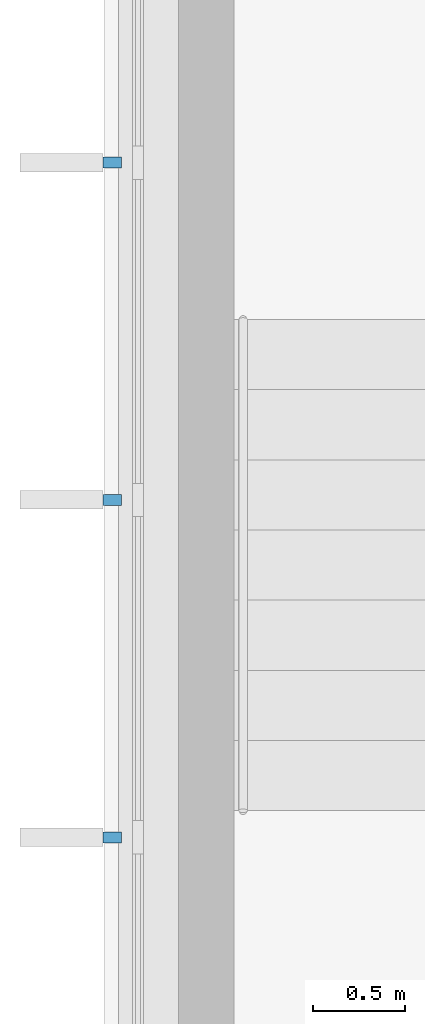
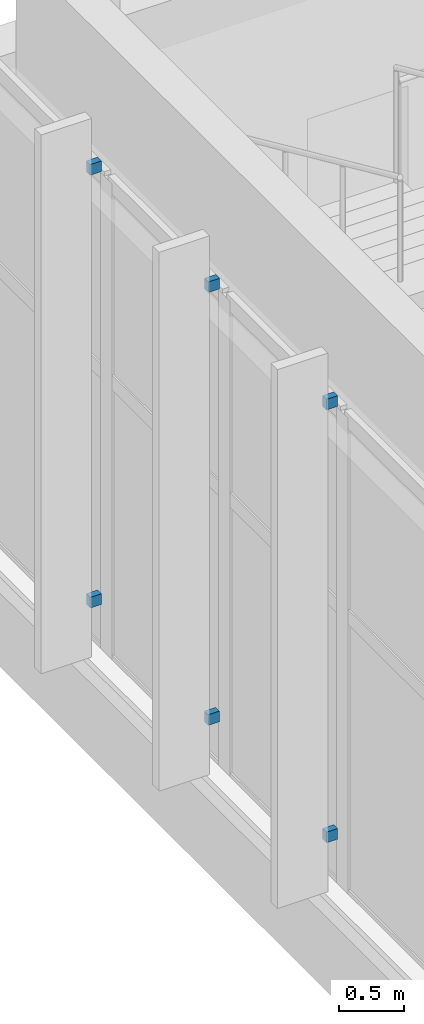
# One storey, part 92 of 132: 6 discrete accessories.
"""IFC4 building model written with IfcOpenShell, lengths in metres."""

from ifc_helpers import new_model, si_unit, direction, frame, origin, origin_2d, place, context, subcontext, project, spatial, rectangle, extrude, material, type_object, element, save


model = new_model("IFC4")

# Units and contexts
model_context = context("Model", 3, precision=1e-05, world=origin(), true_north=direction((0.0, 1.0)))
body_context = subcontext(model_context, "Body", "Model", "MODEL_VIEW")
ifc_project = project(units=[si_unit("LENGTHUNIT", "METRE"), si_unit("AREAUNIT", "SQUARE_METRE"), si_unit("VOLUMEUNIT", "CUBIC_METRE"), si_unit("PLANEANGLEUNIT", "RADIAN"), si_unit("MASSUNIT", "GRAM", prefix="KILO")], contexts=[model_context])

# Site, building, storey
site_placement = place(None, origin())
site = spatial("IfcSite", under=ifc_project, at=site_placement, CompositionType="ELEMENT")
building_placement = place(site_placement, origin())
building = spatial("IfcBuilding", under=site, at=building_placement, Name="Lunette Opera House", CompositionType="ELEMENT")
storey_placement = place(building_placement, frame((0.0, 0.0, 17.0)))
storey = spatial("IfcBuildingStorey", under=building, at=storey_placement, Name="L03", CompositionType="ELEMENT", Elevation=17.0)

# Discrete accessories
ifc_material = material(Name="Galvanised steel", Category="steel")
discrete_accessory_type = type_object("IfcDiscreteAccessoryType", Name="FIN BRACKET STEEL", PredefinedType="BRACKET", material=ifc_material)
for number, where, z_axis, x_axis, name in (
    (1, (8.0419921875, 109.80908203125, 0.56494140625), (0.0, 0.0, 1.0), (-1.0, 0.0, 0.0), "Fin bracket RW-X2043 1 1"),
    (2, (8.0419921875, 109.80908203125, 4.64990234375), (0.0, 0.0, 1.0), (-1.0, 0.0, 0.0), "Fin bracket RW-X2043 1 2"),
    (3, (8.0419921875, 107.98291015625, 0.56494140625), (0.0, 0.0, 1.0), (-1.0, 0.0, 0.0), "Fin bracket RW-X2043 2 1"),
    (4, (8.0419921875, 107.98291015625, 4.64990234375), (0.0, 0.0, 1.0), (-1.0, 0.0, 0.0), "Fin bracket RW-X2043 2 2"),
    (5, (8.0419921875, 106.156005859375, 0.56494140625), (0.0, 0.0, 1.0), (-1.0, 0.0, 0.0), "Fin bracket RW-X2043 3 1"),
    (6, (8.0419921875, 106.156005859375, 4.64990234375), (0.0, 0.0, 1.0), (-1.0, 0.0, 0.0), "Fin bracket RW-X2043 3 2"),
):
    element("IfcDiscreteAccessory", number, at=place(storey_placement, frame(where, z_axis=z_axis, x_axis=x_axis)), inside=storey, type_object=discrete_accessory_type, Name=name, PredefinedType="BRACKET", context=body_context, shape_type="SweptSolid", body=[
        extrude(rectangle(XDim=0.10009765625, YDim=0.06005859375, at=origin_2d()), origin(), (0.0, 0.0, 1.0), 0.10009765625),
    ])

save(model, "model.ifc")
